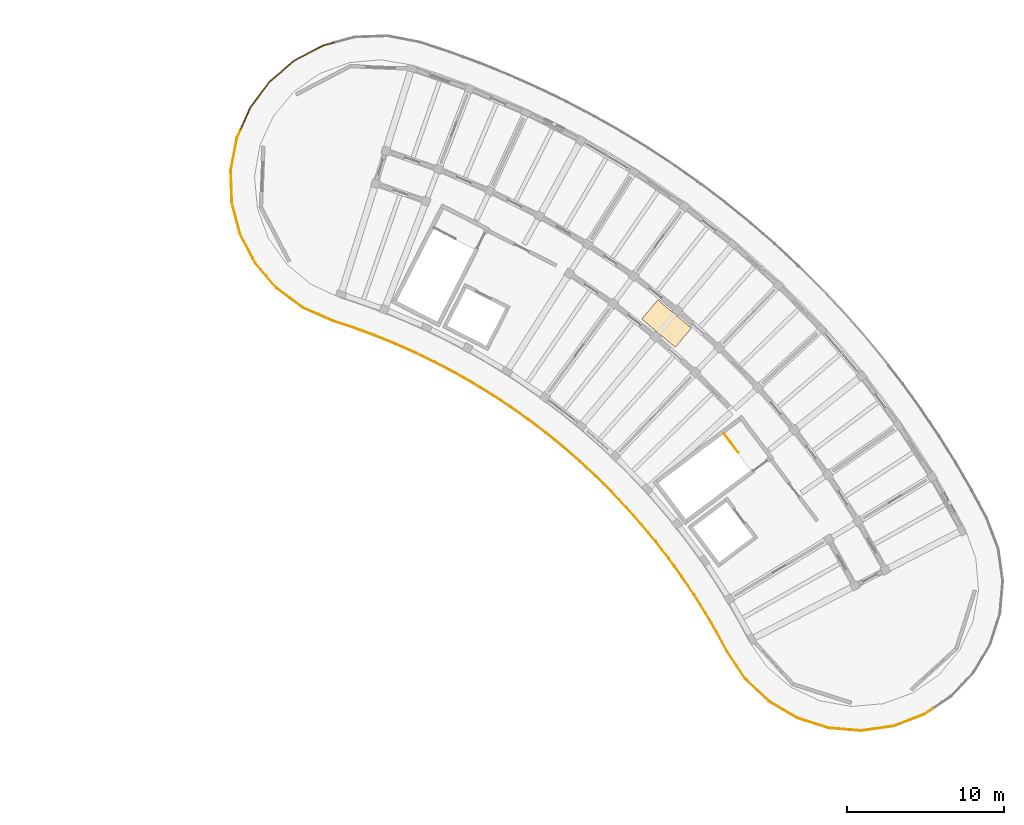
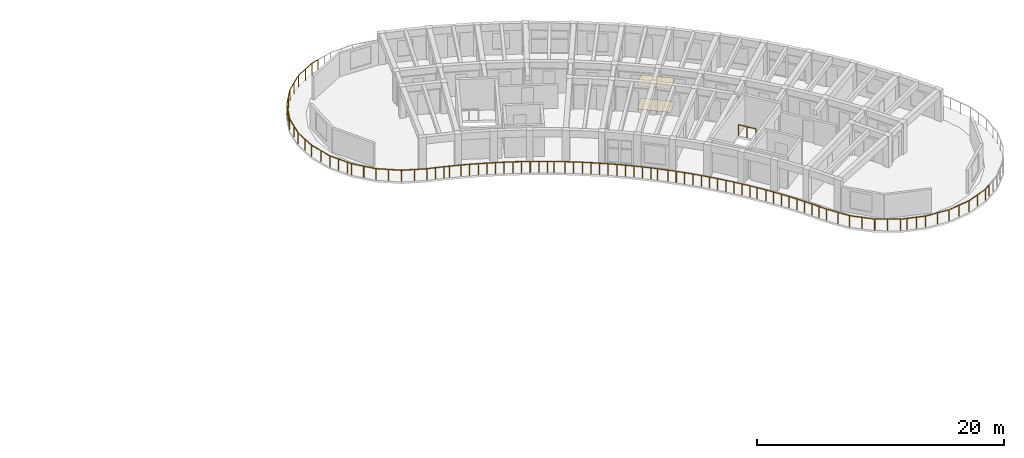
# One storey, part 31 of 32: 10 railings, 2 coverings.
"""IFC4 building model written with IfcOpenShell, lengths in metres."""

import ifcopenshell
import ifcopenshell.guid

model = None  # the IFC model being written
_history = None  # IfcOwnerHistory: only IFC2X3 demands one
_inside = {}  # id of a spatial element -> (the spatial element, [elements in it])
_under = {}  # id of a project, library or spatial element -> (it, [spatial elements below it])
_declared = {}  # id of a project -> (the project, [libraries it declares])
_typed = {}  # id of a type object -> (the type object, [elements of that type])
_made_of = {}  # id of a material, layer set ... -> (it, [elements and type objects made of it])


def new_model(schema):
    """Start an empty IFC model of exactly this schema.

    Asked for "IFC4X3", IfcOpenShell would pick the latest addendum, in which some entities
    have other attributes; the version numbers below select the first issue.
    IFC2X3 requires an IfcOwnerHistory on every rooted entity: one is made here for all.
    """
    global model, _history
    if schema == "IFC4X3":
        model = ifcopenshell.file(schema_version=(4, 3, 0, 0))
    else:
        model = ifcopenshell.file(schema=schema)
    _inside.clear()
    _under.clear()
    _declared.clear()
    _typed.clear()
    _made_of.clear()
    _history = None
    if model.schema == "IFC2X3":
        org = make("IfcOrganization", Name="unknown")
        user = make(
            "IfcPersonAndOrganization",
            ThePerson=make("IfcPerson", FamilyName="unknown"),
            TheOrganization=org,
        )
        app = make(
            "IfcApplication",
            ApplicationDeveloper=org,
            Version="unknown",
            ApplicationFullName="unknown",
            ApplicationIdentifier="unknown",
        )
        _history = make(
            "IfcOwnerHistory",
            OwningUser=user,
            OwningApplication=app,
            ChangeAction="ADDED",
            CreationDate=0,
        )
    return model


def make(cls, **values):
    """One entity of the class cls with the attributes given. An attribute that is None is left unset."""
    return model.create_entity(
        cls, **{name: value for name, value in values.items() if value is not None}
    )


def rooted(cls, **values):
    """An entity with a GlobalId (a new one), such as an element, a storey or a relation."""
    return make(cls, GlobalId=ifcopenshell.guid.new(), OwnerHistory=_history, **values)


def si_unit(unit_type, name, prefix=None):
    """IfcSIUnit, for example si_unit("LENGTHUNIT", "METRE", prefix="MILLI")."""
    return make("IfcSIUnit", UnitType=unit_type, Prefix=prefix, Name=name)


def assignment(units):
    """IfcUnitAssignment: the units of a project."""
    return None if units is None else make("IfcUnitAssignment", Units=units)


def point(xyz):
    """IfcCartesianPoint."""
    return None if xyz is None else make("IfcCartesianPoint", Coordinates=xyz)


def direction(xyz):
    """IfcDirection."""
    return None if xyz is None else make("IfcDirection", DirectionRatios=xyz)


def frame(location, z_axis=None, x_axis=None):
    """IfcAxis2Placement3D, a coordinate frame: its origin and axes. An axis left out is left unset."""
    return make(
        "IfcAxis2Placement3D",
        Location=point(location),
        Axis=direction(z_axis),
        RefDirection=direction(x_axis),
    )


def frame_2d(location, x_axis=None):
    """IfcAxis2Placement2D, a coordinate frame in the plane: its origin and x axis."""
    return make(
        "IfcAxis2Placement2D", Location=point(location), RefDirection=direction(x_axis)
    )


def origin():
    """The frame at (0, 0, 0) with its axes left unset."""
    return frame((0.0, 0.0, 0.0))


def origin_2d():
    """The frame at (0, 0) in the plane with its x axis left unset."""
    return frame_2d((0.0, 0.0))


def place(relative_to, where):
    """IfcLocalPlacement: puts the frame where relative to a parent placement (None: the world)."""
    return make(
        "IfcLocalPlacement", PlacementRelTo=relative_to, RelativePlacement=where
    )


def context(
    kind, dimensions, precision=None, world=None, true_north=None, identifier=None
):
    """IfcGeometricRepresentationContext, for example the 3D "Model" context."""
    return make(
        "IfcGeometricRepresentationContext",
        ContextIdentifier=identifier,
        ContextType=kind,
        CoordinateSpaceDimension=dimensions,
        Precision=precision,
        WorldCoordinateSystem=world,
        TrueNorth=true_north,
    )


def subcontext(parent, identifier, kind, view, scale=None):
    """IfcGeometricRepresentationSubContext, for example "Body" below "Model"."""
    return make(
        "IfcGeometricRepresentationSubContext",
        ContextIdentifier=identifier,
        ContextType=kind,
        ParentContext=parent,
        TargetScale=scale,
        TargetView=view,
    )


def project(units=None, contexts=None):
    """IfcProject with its units and contexts."""
    return rooted(
        "IfcProject",
        Name="project",
        RepresentationContexts=contexts,
        UnitsInContext=assignment(units),
    )


def spatial(cls, under=None, at=None, **own):
    """A site, building, storey or space (cls), placed at a placement, below another one or the project."""
    s = rooted(cls, ObjectPlacement=at, **own)
    if under is not None:
        _under.setdefault(under.id(), (under, []))[1].append(s)
    return s


def profile(cls, at=None, kind="AREA", **sizes):
    """A parametric profile (cls). Its sizes go by their IFC names, for example OverallWidth=200.0."""
    return make(cls, ProfileType=kind, Position=at, **sizes)


def rectangle(**sizes):
    """IfcRectangleProfileDef."""
    return profile("IfcRectangleProfileDef", **sizes)


def circle(**sizes):
    """IfcCircleProfileDef."""
    return profile("IfcCircleProfileDef", **sizes)


def extrude(swept, where, along, depth):
    """IfcExtrudedAreaSolid: the profile swept, set in the frame where, extruded along a direction by depth."""
    return make(
        "IfcExtrudedAreaSolid",
        SweptArea=swept,
        Position=where,
        ExtrudedDirection=direction(along),
        Depth=depth,
    )


def shape(context_of_items, identifier, shape_type, items):
    """IfcShapeRepresentation: the items that make up one representation, for example the "Body"."""
    return make(
        "IfcShapeRepresentation",
        ContextOfItems=context_of_items,
        RepresentationIdentifier=identifier,
        RepresentationType=shape_type,
        Items=items,
    )


def material(Name=None, Category=None):
    """IfcMaterial."""
    return make("IfcMaterial", Name=Name, Category=Category)


def layer(
    of_material, thickness, ventilated=None, Name=None, Category=None, Priority=None
):
    """IfcMaterialLayer: one layer of a wall or slab, of a material (None: an air gap)."""
    return make(
        "IfcMaterialLayer",
        Material=of_material,
        LayerThickness=thickness,
        IsVentilated=ventilated,
        Name=Name,
        Category=Category,
        Priority=Priority,
    )


def layer_set(layers, Name=None):
    """IfcMaterialLayerSet."""
    return make("IfcMaterialLayerSet", MaterialLayers=layers, LayerSetName=Name)


def made_of(thing, what):
    """Note that an element or type object is made of a material, layer set ...; save() writes the relation."""
    if what is not None:
        _made_of.setdefault(what.id(), (what, []))[1].append(thing)
    return thing


def type_object(cls, material=None, **own):
    """A type object (cls), such as IfcWallType, which elements share."""
    return made_of(rooted(cls, **own), material)


def element(
    cls,
    number,
    at=None,
    inside=None,
    cuts=None,
    type_object=None,
    material=None,
    context=None,
    identifier="Body",
    shape_type=None,
    held_by="IfcProductDefinitionShape",
    body=None,
    shapes=None,
    **own,
):
    """One element of the class cls, such as IfcWall. Its Tag is "e" and its number.

    at: its placement. inside: the storey or other place that contains it. cuts: it is an
    opening in that element (IfcRelVoidsElement). A single representation is given by context,
    identifier, shape_type and body (its items); several are given by shapes. held_by: the class
    of the entity that holds the representations. save() writes the other relations.
    """
    e = rooted(cls, Tag="e%d" % number, ObjectPlacement=at, **own)
    if body is not None:
        shapes = [shape(context, identifier, shape_type, body)]
    if shapes is not None:
        e.Representation = make(held_by, Representations=shapes)
    if inside is not None:
        _inside.setdefault(inside.id(), (inside, []))[1].append(e)
    if cuts is not None:
        rooted(
            "IfcRelVoidsElement", RelatingBuildingElement=cuts, RelatedOpeningElement=e
        )
    if type_object is not None:
        _typed.setdefault(type_object.id(), (type_object, []))[1].append(e)
    return made_of(e, material)


def aggregate(whole, parts):
    """IfcRelAggregates: a whole, such as a stair, and the parts it consists of."""
    return rooted("IfcRelAggregates", RelatingObject=whole, RelatedObjects=parts)


def save(model, path):
    """Write the relations noted so far, then the file.

    IfcRelAggregates (storeys below a building ...), IfcRelContainedInSpatialStructure (elements
    in a storey), IfcRelDefinesByType, IfcRelAssociatesMaterial and IfcRelDeclares: one each for
    every whole, place, type object, material and project.
    """
    for whole, parts in _under.values():
        aggregate(whole, parts)
    for where, things in _inside.values():
        rooted(
            "IfcRelContainedInSpatialStructure",
            RelatedElements=things,
            RelatingStructure=where,
        )
    for kind, things in _typed.values():
        rooted("IfcRelDefinesByType", RelatedObjects=things, RelatingType=kind)
    for what, things in _made_of.values():
        rooted("IfcRelAssociatesMaterial", RelatedObjects=things, RelatingMaterial=what)
    for by, libraries in _declared.values():
        rooted("IfcRelDeclares", RelatingContext=by, RelatedDefinitions=libraries)
    model.write(path)


model = new_model("IFC4")

# Units and contexts
model_context = context("Model", 3, precision=1e-05, world=origin(), true_north=direction((0.0, 1.0)))
body_context = subcontext(model_context, "Body", "Model", "MODEL_VIEW")
ifc_project = project(units=[si_unit("LENGTHUNIT", "METRE"), si_unit("AREAUNIT", "SQUARE_METRE"), si_unit("VOLUMEUNIT", "CUBIC_METRE"), si_unit("PLANEANGLEUNIT", "RADIAN"), si_unit("MASSUNIT", "GRAM", prefix="KILO")], contexts=[model_context])

# Site, building, storey
site_placement = place(None, origin())
site = spatial("IfcSite", under=ifc_project, at=site_placement, CompositionType="ELEMENT")
building_placement = place(site_placement, origin())
building = spatial("IfcBuilding", under=site, at=building_placement, Name="Tanwirah Colonnade Gardens", CompositionType="ELEMENT")
storey_placement = place(building_placement, frame((0.0, 0.0, 42.43994140625)))
storey = spatial("IfcBuildingStorey", under=building, at=storey_placement, Name="L12", CompositionType="ELEMENT", Elevation=42.43994140625)

# Railings
ifc_material_1 = material(Name="Precast concrete C40/50", Category="concrete")
railing_type_1 = type_object("IfcRailingType", Name="BAL-EXT112", PredefinedType="BALUSTRADE", material=ifc_material_1)
railing_1_placement = place(storey_placement, frame((160.074951171875, 78.0625, 0.0)))
element("IfcRailing", 1, at=railing_1_placement, inside=storey, type_object=railing_type_1, Name="Block B L12 Balcony Ribbon Balustrade 1", PredefinedType="BALUSTRADE", context=body_context, shape_type="SweptSolid", body=[
    extrude(circle(Radius=0.02392578125, at=origin_2d()), frame((-0.017333984375, 0.02587890625, 1.09619140625), z_axis=(-0.555723141741, 0.831367421622, 0.0), x_axis=(-0.831367421622, -0.555723141741, 0.0)), (0.0, 0.0, 1.0), 2.029541015625),
    extrude(circle(Radius=0.02392578125, at=origin_2d()), frame((-1.177490234375, 1.766845703125, 1.09619140625), z_axis=(-0.47378794551, 0.880638962736, 0.0), x_axis=(-0.880638962736, -0.47378794551, 0.0)), (0.0, 0.0, 1.0), 1.338134765625),
    extrude(circle(Radius=0.02392578125, at=origin_2d()), frame((-1.843017578125, 3.001953125, 1.09619140625), z_axis=(-0.502378729104, 0.864647681165, 0.0), x_axis=(-0.864647681165, -0.502378729104, 0.0)), (0.0, 0.0, 1.0), 1.342041015625),
    extrude(circle(Radius=0.02392578125, at=origin_2d()), frame((-2.551025390625, 4.218017578125, 1.09619140625), z_axis=(-0.530764445851, 0.847519382091, 0.0), x_axis=(-0.847519382091, -0.530764445851, 0.0)), (0.0, 0.0, 1.0), 1.341796875),
    extrude(circle(Radius=0.02392578125, at=origin_2d()), frame((-3.298828125, 5.40966796875, 1.09619140625), z_axis=(-0.558385571779, 0.829581553091, 0.0), x_axis=(-0.829581553091, -0.558385571779, 0.0)), (0.0, 0.0, 1.0), 1.341796875),
    extrude(circle(Radius=0.02392578125, at=origin_2d()), frame((-4.085205078125, 6.576416015625, 1.09619140625), z_axis=(-0.585501924719, 0.81067101598, 0.0), x_axis=(-0.81067101598, -0.585501924719, 0.0)), (0.0, 0.0, 1.0), 0.721435546875),
    extrude(circle(Radius=0.02099609375, at=origin_2d()), origin(), (0.0, 0.0, 1.0), 1.069091796875),
    extrude(circle(Radius=0.02099609375, at=origin_2d()), frame((-0.581298828125, 0.86962890625, 0.0)), (0.0, 0.0, 1.0), 1.069091796875),
    extrude(circle(Radius=0.02099609375, at=origin_2d()), frame((-1.16259765625, 1.7392578125, 0.0)), (0.0, 0.0, 1.0), 1.069091796875),
    extrude(circle(Radius=0.02099609375, at=origin_2d()), frame((-1.494384765625, 2.35595703125, 0.0)), (0.0, 0.0, 1.0), 1.069091796875),
    extrude(circle(Radius=0.02099609375, at=origin_2d()), frame((-1.826171875, 2.97265625, 0.0)), (0.0, 0.0, 1.0), 1.069091796875),
    extrude(circle(Radius=0.02099609375, at=origin_2d()), frame((-2.18017578125, 3.58203125, 0.0)), (0.0, 0.0, 1.0), 1.069091796875),
    extrude(circle(Radius=0.02099609375, at=origin_2d()), frame((-2.532958984375, 4.189208984375, 0.0)), (0.0, 0.0, 1.0), 1.069091796875),
    extrude(circle(Radius=0.02099609375, at=origin_2d()), frame((-2.9072265625, 4.78662109375, 0.0)), (0.0, 0.0, 1.0), 1.069091796875),
    extrude(circle(Radius=0.02099609375, at=origin_2d()), frame((-3.27978515625, 5.381591796875, 0.0)), (0.0, 0.0, 1.0), 1.069091796875),
    extrude(circle(Radius=0.02099609375, at=origin_2d()), frame((-3.67333984375, 5.96630859375, 0.0)), (0.0, 0.0, 1.0), 1.069091796875),
    extrude(circle(Radius=0.02099609375, at=origin_2d()), frame((-4.0654296875, 6.548828125, 0.0)), (0.0, 0.0, 1.0), 1.069091796875),
    extrude(circle(Radius=0.02099609375, at=origin_2d()), frame((-4.52587890625, 7.1865234375, 0.0)), (0.0, 0.0, 1.0), 1.069091796875),
])
railing_2_placement = place(storey_placement, frame((155.549072265625, 85.2490234375, 0.0)))
element("IfcRailing", 2, at=railing_2_placement, inside=storey, type_object=railing_type_1, Name="Block B L12 Balcony Ribbon Balustrade 2", PredefinedType="BALUSTRADE", context=body_context, shape_type="SweptSolid", body=[
    extrude(circle(Radius=0.02392578125, at=origin_2d()), frame((-0.018310546875, 0.025390625, 1.09619140625), z_axis=(-0.585548022898, 0.810637719872, 0.0), x_axis=(-0.810637719872, -0.585548022898, 0.0)), (0.0, 0.0, 1.0), 0.557861328125),
    extrude(circle(Radius=0.02392578125, at=origin_2d()), frame((-0.3837890625, 0.52978515625, 1.09619140625), z_axis=(-0.611783903817, 0.791024939576, 0.0), x_axis=(-0.791024939576, -0.611783903817, 0.0)), (0.0, 0.0, 1.0), 1.341796875),
    extrude(circle(Radius=0.02392578125, at=origin_2d()), frame((-1.24560546875, 1.64208984375, 1.09619140625), z_axis=(-0.637581943595, 0.770382544715, 0.0), x_axis=(-0.770382544715, -0.637581943595, 0.0)), (0.0, 0.0, 1.0), 1.342041015625),
    extrude(circle(Radius=0.02392578125, at=origin_2d()), frame((-2.1435546875, 2.725341796875, 1.09619140625), z_axis=(-0.662581384852, 0.748989925464, 0.0), x_axis=(-0.748989925464, -0.662581384852, 0.0)), (0.0, 0.0, 1.0), 1.341796875),
    extrude(circle(Radius=0.02392578125, at=origin_2d()), frame((-3.076416015625, 3.7783203125, 1.09619140625), z_axis=(-0.687011382404, 0.726646654466, 0.0), x_axis=(-0.726646654466, -0.687011382404, 0.0)), (0.0, 0.0, 1.0), 1.341796875),
    extrude(circle(Radius=0.02392578125, at=origin_2d()), frame((-4.043701171875, 4.800048828125, 1.09619140625), z_axis=(-0.710488556831, 0.703708754111, 0.0), x_axis=(-0.703708754111, -0.710488556831, 0.0)), (0.0, 0.0, 1.0), 1.341796875),
    extrude(circle(Radius=0.02392578125, at=origin_2d()), frame((-5.044189453125, 5.789306640625, 1.09619140625), z_axis=(-0.733278670332, 0.679928225357, 0.0), x_axis=(-0.679928225357, -0.733278670332, 0.0)), (0.0, 0.0, 1.0), 0.779541015625),
    extrude(circle(Radius=0.02099609375, at=origin_2d()), origin(), (0.0, 0.0, 1.0), 1.069091796875),
    extrude(circle(Radius=0.02099609375, at=origin_2d()), frame((-0.36328125, 0.5029296875, 0.0)), (0.0, 0.0, 1.0), 1.069091796875),
    extrude(circle(Radius=0.02099609375, at=origin_2d()), frame((-0.79443359375, 1.060546875, 0.0)), (0.0, 0.0, 1.0), 1.069091796875),
    extrude(circle(Radius=0.02099609375, at=origin_2d()), frame((-1.223876953125, 1.615966796875, 0.0)), (0.0, 0.0, 1.0), 1.069091796875),
    extrude(circle(Radius=0.02099609375, at=origin_2d()), frame((-1.67333984375, 2.158935546875, 0.0)), (0.0, 0.0, 1.0), 1.069091796875),
    extrude(circle(Radius=0.02099609375, at=origin_2d()), frame((-2.12109375, 2.699951171875, 0.0)), (0.0, 0.0, 1.0), 1.069091796875),
    extrude(circle(Radius=0.02099609375, at=origin_2d()), frame((-2.587890625, 3.227783203125, 0.0)), (0.0, 0.0, 1.0), 1.069091796875),
    extrude(circle(Radius=0.02099609375, at=origin_2d()), frame((-3.05322265625, 3.753662109375, 0.0)), (0.0, 0.0, 1.0), 1.069091796875),
    extrude(circle(Radius=0.02099609375, at=origin_2d()), frame((-3.537353515625, 4.265869140625, 0.0)), (0.0, 0.0, 1.0), 1.069091796875),
    extrude(circle(Radius=0.02099609375, at=origin_2d()), frame((-4.019775390625, 4.776123046875, 0.0)), (0.0, 0.0, 1.0), 1.069091796875),
    extrude(circle(Radius=0.02099609375, at=origin_2d()), frame((-4.5205078125, 5.272216796875, 0.0)), (0.0, 0.0, 1.0), 1.069091796875),
    extrude(circle(Radius=0.02099609375, at=origin_2d()), frame((-5.019287109375, 5.766357421875, 0.0)), (0.0, 0.0, 1.0), 1.069091796875),
    extrude(circle(Radius=0.02099609375, at=origin_2d()), frame((-5.638671875, 6.340576171875, 0.0)), (0.0, 0.0, 1.0), 1.069091796875),
])
railing_3_placement = place(storey_placement, frame((149.910400390625, 91.589599609375, 0.0)))
element("IfcRailing", 3, at=railing_3_placement, inside=storey, type_object=railing_type_1, Name="Block B L12 Balcony Ribbon Balustrade 3", PredefinedType="BALUSTRADE", context=body_context, shape_type="SweptSolid", body=[
    extrude(circle(Radius=0.02392578125, at=origin_2d()), frame((-0.02294921875, 0.021240234375, 1.09619140625), z_axis=(-0.733504180898, 0.679684939222, 0.0), x_axis=(-0.679684939222, -0.733504180898, 0.0)), (0.0, 0.0, 1.0), 0.5),
    extrude(circle(Radius=0.02392578125, at=origin_2d()), frame((-0.438232421875, 0.404541015625, 1.09619140625), z_axis=(-0.755402192857, 0.655261418845, 0.0), x_axis=(-0.655261418845, -0.755402192857, 0.0)), (0.0, 0.0, 1.0), 1.341796875),
    extrude(circle(Radius=0.02392578125, at=origin_2d()), frame((-1.50146484375, 1.32568359375, 1.09619140625), z_axis=(-0.776491375378, 0.630127879056, 0.0), x_axis=(-0.630127879056, -0.776491375378, 0.0)), (0.0, 0.0, 1.0), 1.342041015625),
    extrude(circle(Radius=0.02392578125, at=origin_2d()), frame((-2.5947265625, 2.211181640625, 1.09619140625), z_axis=(-0.796818244666, 0.604219070344, 0.0), x_axis=(-0.604219070344, -0.796818244666, 0.0)), (0.0, 0.0, 1.0), 1.342041015625),
    extrude(circle(Radius=0.02392578125, at=origin_2d()), frame((-3.716796875, 3.060546875, 1.09619140625), z_axis=(-0.816321661452, 0.577597563226, 0.0), x_axis=(-0.577597563226, -0.816321661452, 0.0)), (0.0, 0.0, 1.0), 1.341552734375),
    extrude(circle(Radius=0.02392578125, at=origin_2d()), frame((-4.86572265625, 3.8720703125, 1.09619140625), z_axis=(-0.834927342507, 0.550360184547, 0.0), x_axis=(-0.550360184547, -0.834927342507, 0.0)), (0.0, 0.0, 1.0), 1.341796875),
    extrude(circle(Radius=0.02392578125, at=origin_2d()), frame((-6.041015625, 4.6455078125, 1.09619140625), z_axis=(-0.85259735491, 0.522568416957, 0.0), x_axis=(-0.522568416957, -0.85259735491, 0.0)), (0.0, 0.0, 1.0), 0.837646484375),
    extrude(circle(Radius=0.02099609375, at=origin_2d()), origin(), (0.0, 0.0, 1.0), 1.069091796875),
    extrude(circle(Radius=0.02099609375, at=origin_2d()), frame((-0.41259765625, 0.38232421875, 0.0)), (0.0, 0.0, 1.0), 1.069091796875),
    extrude(circle(Radius=0.02099609375, at=origin_2d()), frame((-0.94482421875, 0.84423828125, 0.0)), (0.0, 0.0, 1.0), 1.069091796875),
    extrude(circle(Radius=0.02099609375, at=origin_2d()), frame((-1.475341796875, 1.30419921875, 0.0)), (0.0, 0.0, 1.0), 1.069091796875),
    extrude(circle(Radius=0.02099609375, at=origin_2d()), frame((-2.0224609375, 1.74853515625, 0.0)), (0.0, 0.0, 1.0), 1.069091796875),
    extrude(circle(Radius=0.02099609375, at=origin_2d()), frame((-2.56787109375, 2.19091796875, 0.0)), (0.0, 0.0, 1.0), 1.069091796875),
    extrude(circle(Radius=0.02099609375, at=origin_2d()), frame((-3.12939453125, 2.61669921875, 0.0)), (0.0, 0.0, 1.0), 1.069091796875),
    extrude(circle(Radius=0.02099609375, at=origin_2d()), frame((-3.68896484375, 3.041015625, 0.0)), (0.0, 0.0, 1.0), 1.069091796875),
    extrude(circle(Radius=0.02099609375, at=origin_2d()), frame((-4.26416015625, 3.447998046875, 0.0)), (0.0, 0.0, 1.0), 1.069091796875),
    extrude(circle(Radius=0.02099609375, at=origin_2d()), frame((-4.83740234375, 3.853515625, 0.0)), (0.0, 0.0, 1.0), 1.069091796875),
    extrude(circle(Radius=0.02099609375, at=origin_2d()), frame((-5.42578125, 4.241455078125, 0.0)), (0.0, 0.0, 1.0), 1.069091796875),
    extrude(circle(Radius=0.02099609375, at=origin_2d()), frame((-6.01220703125, 4.6279296875, 0.0)), (0.0, 0.0, 1.0), 1.069091796875),
    extrude(circle(Radius=0.02099609375, at=origin_2d()), frame((-6.781982421875, 5.099609375, 0.0)), (0.0, 0.0, 1.0), 1.069091796875),
])
railing_4_placement = place(storey_placement, frame((143.12841796875, 96.689208984375, 0.0)))
element("IfcRailing", 4, at=railing_4_placement, inside=storey, type_object=railing_type_1, Name="Block B L12 Balcony Ribbon Balustrade 4", PredefinedType="BALUSTRADE", context=body_context, shape_type="SweptSolid", body=[
    extrude(circle(Radius=0.02392578125, at=origin_2d()), frame((-0.026611328125, 0.016357421875, 1.09619140625), z_axis=(-0.852670834428, 0.522448512407, 0.0), x_axis=(-0.522448512407, -0.852670834428, 0.0)), (0.0, 0.0, 1.0), 0.441650390625),
    extrude(circle(Radius=0.02392578125, at=origin_2d()), frame((-0.459228515625, 0.280029296875, 1.09619140625), z_axis=(-0.869342839865, 0.494209496848, 0.0), x_axis=(-0.494209496848, -0.869342839865, 0.0)), (0.0, 0.0, 1.0), 1.342041015625),
    extrude(circle(Radius=0.02392578125, at=origin_2d()), frame((-1.68310546875, 0.974609375, 1.09619140625), z_axis=(-0.885204649416, 0.465201814972, 0.0), x_axis=(-0.465201814972, -0.885204649416, 0.0)), (0.0, 0.0, 1.0), 1.341796875),
    extrude(circle(Radius=0.02392578125, at=origin_2d()), frame((-2.928955078125, 1.628173828125, 1.09619140625), z_axis=(-0.900124070825, 0.43563362717, 0.0), x_axis=(-0.43563362717, -0.900124070825, 0.0)), (0.0, 0.0, 1.0), 1.341796875),
    extrude(circle(Radius=0.02392578125, at=origin_2d()), frame((-4.19580078125, 2.240234375, 1.09619140625), z_axis=(-0.913997826773, 0.40571908096, 0.0), x_axis=(-0.40571908096, -0.913997826773, 0.0)), (0.0, 0.0, 1.0), 1.342041015625),
    extrude(circle(Radius=0.02392578125, at=origin_2d()), frame((-5.482177734375, 2.81005859375, 1.09619140625), z_axis=(-0.92683738147, 0.375463005247, 0.0), x_axis=(-0.375463005247, -0.92683738147, 0.0)), (0.0, 0.0, 1.0), 1.342041015625),
    extrude(circle(Radius=0.02392578125, at=origin_2d()), frame((-6.78662109375, 3.33740234375, 1.09619140625), z_axis=(-0.938695003557, 0.34474873502, 0.0), x_axis=(-0.34474873502, -0.938695003557, 0.0)), (0.0, 0.0, 1.0), 0.8955078125),
    extrude(circle(Radius=0.02099609375, at=origin_2d()), origin(), (0.0, 0.0, 1.0), 1.069091796875),
    extrude(circle(Radius=0.02099609375, at=origin_2d()), frame((-0.429931640625, 0.263427734375, 0.0)), (0.0, 0.0, 1.0), 1.069091796875),
    extrude(circle(Radius=0.02099609375, at=origin_2d()), frame((-1.04248046875, 0.61181640625, 0.0)), (0.0, 0.0, 1.0), 1.069091796875),
    extrude(circle(Radius=0.02099609375, at=origin_2d()), frame((-1.653076171875, 0.958740234375, 0.0)), (0.0, 0.0, 1.0), 1.069091796875),
    extrude(circle(Radius=0.02099609375, at=origin_2d()), frame((-2.277099609375, 1.28662109375, 0.0)), (0.0, 0.0, 1.0), 1.069091796875),
    extrude(circle(Radius=0.02099609375, at=origin_2d()), frame((-2.898681640625, 1.61328125, 0.0)), (0.0, 0.0, 1.0), 1.069091796875),
    extrude(circle(Radius=0.02099609375, at=origin_2d()), frame((-3.532958984375, 1.92041015625, 0.0)), (0.0, 0.0, 1.0), 1.069091796875),
    extrude(circle(Radius=0.02099609375, at=origin_2d()), frame((-4.1650390625, 2.226318359375, 0.0)), (0.0, 0.0, 1.0), 1.069091796875),
    extrude(circle(Radius=0.02099609375, at=origin_2d()), frame((-4.80908203125, 2.512451171875, 0.0)), (0.0, 0.0, 1.0), 1.069091796875),
    extrude(circle(Radius=0.02099609375, at=origin_2d()), frame((-5.450927734375, 2.79736328125, 0.0)), (0.0, 0.0, 1.0), 1.069091796875),
    extrude(circle(Radius=0.02099609375, at=origin_2d()), frame((-6.10400390625, 3.06201171875, 0.0)), (0.0, 0.0, 1.0), 1.069091796875),
    extrude(circle(Radius=0.02099609375, at=origin_2d()), frame((-6.7548828125, 3.32568359375, 0.0)), (0.0, 0.0, 1.0), 1.069091796875),
    extrude(circle(Radius=0.02099609375, at=origin_2d()), frame((-7.65673828125, 3.656982421875, 0.0)), (0.0, 0.0, 1.0), 1.069091796875),
])
railing_5_placement = place(storey_placement, frame((135.4716796875, 100.34619140625, 0.0)))
element("IfcRailing", 5, at=railing_5_placement, inside=storey, type_object=railing_type_1, Name="Block B L12 Balcony Ribbon Balustrade 5", PredefinedType="BALUSTRADE", context=body_context, shape_type="SweptSolid", body=[
    extrude(circle(Radius=0.02392578125, at=origin_2d()), frame((-0.029296875, 0.0107421875, 1.09619140625), z_axis=(-0.938669759517, 0.34481746268, 0.0), x_axis=(-0.34481746268, -0.938669759517, 0.0)), (0.0, 0.0, 1.0), 0.383544921875),
    extrude(circle(Radius=0.02392578125, at=origin_2d()), frame((-0.451171875, 0.16455078125, 1.09619140625), z_axis=(-0.949551322101, 0.313611681377, 0.0), x_axis=(-0.313611681377, -0.949551322101, 0.0)), (0.0, 0.0, 1.0), 1.337890625),
    extrude(circle(Radius=0.02392578125, at=origin_2d()), frame((-1.77978515625, 0.606689453125, 1.09619140625), z_axis=(-0.915206584925, 0.402984995887, 0.0), x_axis=(-0.402984995887, -0.915206584925, 0.0)), (0.0, 0.0, 1.0), 2.029296875),
    extrude(circle(Radius=0.02392578125, at=origin_2d()), frame((-3.69091796875, 1.45556640625, 1.09619140625), z_axis=(-0.802617432129, 0.596494138817, 0.0), x_axis=(-0.596494138817, -0.802617432129, 0.0)), (0.0, 0.0, 1.0), 2.0244140625),
    extrude(circle(Radius=0.02392578125, at=origin_2d()), frame((-5.361083984375, 2.70556640625, 1.09619140625), z_axis=(-0.649788781174, 0.760114820182, 0.0), x_axis=(-0.760114820182, -0.649788781174, 0.0)), (0.0, 0.0, 1.0), 2.024169921875),
    extrude(circle(Radius=0.02392578125, at=origin_2d()), frame((-6.711181640625, 4.295654296875, 1.09619140625), z_axis=(-0.464386241991, 0.885632778441, 0.0), x_axis=(-0.885632778441, -0.464386241991, 0.0)), (0.0, 0.0, 1.0), 0.322265625),
    extrude(circle(Radius=0.02099609375, at=origin_2d()), origin(), (0.0, 0.0, 1.0), 1.069091796875),
    extrude(circle(Radius=0.02099609375, at=origin_2d()), frame((-0.418701171875, 0.15380859375, 0.0)), (0.0, 0.0, 1.0), 1.069091796875),
    extrude(circle(Radius=0.02099609375, at=origin_2d()), frame((-1.08642578125, 0.37451171875, 0.0)), (0.0, 0.0, 1.0), 1.069091796875),
    extrude(circle(Radius=0.02099609375, at=origin_2d()), frame((-1.751220703125, 0.593994140625, 0.0)), (0.0, 0.0, 1.0), 1.069091796875),
    extrude(circle(Radius=0.02099609375, at=origin_2d()), frame((-2.70849609375, 1.015625, 0.0)), (0.0, 0.0, 1.0), 1.069091796875),
    extrude(circle(Radius=0.02099609375, at=origin_2d()), frame((-3.665771484375, 1.43701171875, 0.0)), (0.0, 0.0, 1.0), 1.069091796875),
    extrude(circle(Radius=0.02099609375, at=origin_2d()), frame((-4.50341796875, 2.0595703125, 0.0)), (0.0, 0.0, 1.0), 1.069091796875),
    extrude(circle(Radius=0.02099609375, at=origin_2d()), frame((-5.3408203125, 2.681884765625, 0.0)), (0.0, 0.0, 1.0), 1.069091796875),
    extrude(circle(Radius=0.02099609375, at=origin_2d()), frame((-6.018798828125, 3.47509765625, 0.0)), (0.0, 0.0, 1.0), 1.069091796875),
    extrude(circle(Radius=0.02099609375, at=origin_2d()), frame((-6.69677734375, 4.26806640625, 0.0)), (0.0, 0.0, 1.0), 1.069091796875),
    extrude(circle(Radius=0.02099609375, at=origin_2d()), frame((-6.87548828125, 4.60888671875, 0.0)), (0.0, 0.0, 1.0), 1.069091796875),
])
railing_6_placement = place(storey_placement, frame((128.59619140625, 104.955078125, 0.0)))
element("IfcRailing", 6, at=railing_6_placement, inside=storey, type_object=railing_type_1, Name="Block B L12 Balcony Ribbon Balustrade 6", PredefinedType="BALUSTRADE", context=body_context, shape_type="SweptSolid", body=[
    extrude(circle(Radius=0.02392578125, at=origin_2d()), frame((-0.014404296875, 0.027587890625, 1.09619140625), z_axis=(-0.464285666528, 0.885685508438, 0.0), x_axis=(-0.885685508438, -0.464285666528, 0.0)), (0.0, 0.0, 1.0), 1.6396484375),
    extrude(circle(Radius=0.02392578125, at=origin_2d()), frame((-0.79833984375, 1.537841796875, 1.09619140625), z_axis=(-0.255616018548, 0.966778387771, 0.0), x_axis=(-0.966778387771, -0.255616018548, 0.0)), (0.0, 0.0, 1.0), 2.0244140625),
    extrude(circle(Radius=0.02392578125, at=origin_2d()), frame((-1.32470703125, 3.556396484375, 1.09619140625), z_axis=(-0.034043231314, 0.99942036121, 0.0), x_axis=(-0.99942036121, -0.034043231314, 0.0)), (0.0, 0.0, 1.0), 2.0244140625),
    extrude(circle(Radius=0.02392578125, at=origin_2d()), frame((-1.388916015625, 5.6416015625, 1.09619140625), z_axis=(0.189159780918, 0.981946320978, 0.0), x_axis=(-0.981946320978, 0.189159780918, 0.0)), (0.0, 0.0, 1.0), 2.0244140625),
    extrude(circle(Radius=0.02392578125, at=origin_2d()), frame((-0.9873046875, 7.688720703125, 1.09619140625), z_axis=(0.40284527207, 0.915268095571, 0.0), x_axis=(-0.915268095571, 0.40284527207, 0.0)), (0.0, 0.0, 1.0), 0.474365234375),
    extrude(circle(Radius=0.02099609375, at=origin_2d()), origin(), (0.0, 0.0, 1.0), 1.069091796875),
    extrude(circle(Radius=0.02099609375, at=origin_2d()), frame((-0.39501953125, 0.75390625, 0.0)), (0.0, 0.0, 1.0), 1.069091796875),
    extrude(circle(Radius=0.02099609375, at=origin_2d()), frame((-0.790283203125, 1.507568359375, 0.0)), (0.0, 0.0, 1.0), 1.069091796875),
    extrude(circle(Radius=0.02099609375, at=origin_2d()), frame((-1.05712890625, 2.516357421875, 0.0)), (0.0, 0.0, 1.0), 1.069091796875),
    extrude(circle(Radius=0.02099609375, at=origin_2d()), frame((-1.32373046875, 3.525146484375, 0.0)), (0.0, 0.0, 1.0), 1.069091796875),
    extrude(circle(Radius=0.02099609375, at=origin_2d()), frame((-1.359375, 4.56787109375, 0.0)), (0.0, 0.0, 1.0), 1.069091796875),
    extrude(circle(Radius=0.02099609375, at=origin_2d()), frame((-1.394775390625, 5.61083984375, 0.0)), (0.0, 0.0, 1.0), 1.069091796875),
    extrude(circle(Radius=0.02099609375, at=origin_2d()), frame((-1.197265625, 6.635498046875, 0.0)), (0.0, 0.0, 1.0), 1.069091796875),
    extrude(circle(Radius=0.02099609375, at=origin_2d()), frame((-1.0, 7.66015625, 0.0)), (0.0, 0.0, 1.0), 1.069091796875),
    extrude(circle(Radius=0.02099609375, at=origin_2d()), frame((-0.78369140625, 8.151611328125, 0.0)), (0.0, 0.0, 1.0), 1.069091796875),
])
railing_7_placement = place(storey_placement, frame((127.8125, 113.106689453125, 0.0)))
element("IfcRailing", 7, at=railing_7_placement, inside=storey, type_object=railing_type_1, Name="Block B L12 Balcony Ribbon Balustrade 7", PredefinedType="BALUSTRADE", context=body_context, shape_type="SweptSolid", body=[
    extrude(circle(Radius=0.02392578125, at=origin_2d()), frame((0.0126953125, 0.028564453125, 1.09619140625), z_axis=(0.402949763493, 0.915222097691, 0.0), x_axis=(-0.915222097691, 0.402949763493, 0.0)), (0.0, 0.0, 1.0), 1.4873046875),
    extrude(circle(Radius=0.02392578125, at=origin_2d()), frame((0.64306640625, 1.443603515625, 1.09619140625), z_axis=(0.596494138817, 0.802617432129, 0.0), x_axis=(-0.802617432129, 0.596494138817, 0.0)), (0.0, 0.0, 1.0), 2.0244140625),
    extrude(circle(Radius=0.02392578125, at=origin_2d()), frame((1.89306640625, 3.11376953125, 1.09619140625), z_axis=(0.760114820182, 0.649788781174, 0.0), x_axis=(-0.649788781174, 0.760114820182, 0.0)), (0.0, 0.0, 1.0), 2.024169921875),
    extrude(circle(Radius=0.02392578125, at=origin_2d()), frame((3.483154296875, 4.4638671875, 1.09619140625), z_axis=(0.885675786057, 0.464304212767, 0.0), x_axis=(-0.464304212767, 0.885675786057, 0.0)), (0.0, 0.0, 1.0), 2.0244140625),
    extrude(circle(Radius=0.02392578125, at=origin_2d()), frame((5.334228515625, 5.426513671875, 1.09619140625), z_axis=(0.966761887084, 0.255678418489, 0.0), x_axis=(-0.255678418489, 0.966761887084, 0.0)), (0.0, 0.0, 1.0), 0.626953125),
    extrude(circle(Radius=0.02099609375, at=origin_2d()), origin(), (0.0, 0.0, 1.0), 1.069091796875),
    extrude(circle(Radius=0.02099609375, at=origin_2d()), frame((0.312255859375, 0.709228515625, 0.0)), (0.0, 0.0, 1.0), 1.069091796875),
    extrude(circle(Radius=0.02099609375, at=origin_2d()), frame((0.62451171875, 1.41845703125, 0.0)), (0.0, 0.0, 1.0), 1.069091796875),
    extrude(circle(Radius=0.02099609375, at=origin_2d()), frame((1.2470703125, 2.255859375, 0.0)), (0.0, 0.0, 1.0), 1.069091796875),
    extrude(circle(Radius=0.02099609375, at=origin_2d()), frame((1.869384765625, 3.093505859375, 0.0)), (0.0, 0.0, 1.0), 1.069091796875),
    extrude(circle(Radius=0.02099609375, at=origin_2d()), frame((2.66259765625, 3.771484375, 0.0)), (0.0, 0.0, 1.0), 1.069091796875),
    extrude(circle(Radius=0.02099609375, at=origin_2d()), frame((3.45556640625, 4.449462890625, 0.0)), (0.0, 0.0, 1.0), 1.069091796875),
    extrude(circle(Radius=0.02099609375, at=origin_2d()), frame((4.3798828125, 4.93408203125, 0.0)), (0.0, 0.0, 1.0), 1.069091796875),
    extrude(circle(Radius=0.02099609375, at=origin_2d()), frame((5.303955078125, 5.41845703125, 0.0)), (0.0, 0.0, 1.0), 1.069091796875),
    extrude(circle(Radius=0.02099609375, at=origin_2d()), frame((5.970458984375, 5.5947265625, 0.0)), (0.0, 0.0, 1.0), 1.069091796875),
])
railing_8_placement = place(storey_placement, frame((172.051025390625, 76.183837890625, 0.0)))
element("IfcRailing", 8, at=railing_8_placement, inside=storey, type_object=railing_type_1, Name="Block B L12 Balcony Ribbon Balustrade 16", PredefinedType="BALUSTRADE", context=body_context, shape_type="SweptSolid", body=[
    extrude(circle(Radius=0.02392578125, at=origin_2d()), frame((-0.02587890625, -0.017333984375, 1.09619140625), z_axis=(-0.831292767402, -0.555834808973, 0.0), x_axis=(0.555834808973, -0.831292767402, 0.0)), (0.0, 0.0, 1.0), 0.63232421875),
    extrude(circle(Radius=0.02392578125, at=origin_2d()), frame((-0.60693359375, -0.3974609375, 1.09619140625), z_axis=(-0.93417230436, -0.356822232724, 0.0), x_axis=(0.356822232724, -0.93417230436, 0.0)), (0.0, 0.0, 1.0), 2.0244140625),
    extrude(circle(Radius=0.02392578125, at=origin_2d()), frame((-2.55810546875, -1.13525390625, 1.09619140625), z_axis=(-0.990163599913, -0.139914421727, 0.0), x_axis=(0.139914421727, -0.990163599913, 0.0)), (0.0, 0.0, 1.0), 2.0244140625),
    extrude(circle(Radius=0.02392578125, at=origin_2d()), frame((-4.624755859375, -1.420166015625, 1.09619140625), z_axis=(-0.996485797571, 0.083761896109, 0.0), x_axis=(-0.083761896109, -0.996485797571, 0.0)), (0.0, 0.0, 1.0), 2.0244140625),
    extrude(circle(Radius=0.02392578125, at=origin_2d()), frame((-6.702880859375, -1.238525390625, 1.09619140625), z_axis=(-0.952834395367, 0.303490716507, 0.0), x_axis=(-0.303490716507, -0.952834395367, 0.0)), (0.0, 0.0, 1.0), 1.48193359375),
    extrude(circle(Radius=0.02099609375, at=origin_2d()), origin(), (0.0, 0.0, 1.0), 1.069091796875),
    extrude(circle(Radius=0.02099609375, at=origin_2d()), frame((-0.57763671875, -0.38623046875, 0.0)), (0.0, 0.0, 1.0), 1.069091796875),
    extrude(circle(Radius=0.02099609375, at=origin_2d()), frame((-1.55224609375, -0.758544921875, 0.0)), (0.0, 0.0, 1.0), 1.069091796875),
    extrude(circle(Radius=0.02099609375, at=origin_2d()), frame((-2.527099609375, -1.130859375, 0.0)), (0.0, 0.0, 1.0), 1.069091796875),
    extrude(circle(Radius=0.02099609375, at=origin_2d()), frame((-3.560302734375, -1.27685546875, 0.0)), (0.0, 0.0, 1.0), 1.069091796875),
    extrude(circle(Radius=0.02099609375, at=origin_2d()), frame((-4.593505859375, -1.4228515625, 0.0)), (0.0, 0.0, 1.0), 1.069091796875),
    extrude(circle(Radius=0.02099609375, at=origin_2d()), frame((-5.63330078125, -1.33544921875, 0.0)), (0.0, 0.0, 1.0), 1.069091796875),
    extrude(circle(Radius=0.02099609375, at=origin_2d()), frame((-6.673095703125, -1.248046875, 0.0)), (0.0, 0.0, 1.0), 1.069091796875),
    extrude(circle(Radius=0.02099609375, at=origin_2d()), frame((-7.408935546875, -1.013671875, 0.0)), (0.0, 0.0, 1.0), 1.069091796875),
    extrude(circle(Radius=0.02099609375, at=origin_2d()), frame((-8.144775390625, -0.779296875, 0.0)), (0.0, 0.0, 1.0), 1.069091796875),
])
railing_9_placement = place(storey_placement, frame((163.90625, 75.404541015625, 0.0)))
element("IfcRailing", 9, at=railing_9_placement, inside=storey, type_object=railing_type_1, Name="Block B L12 Balcony Ribbon Balustrade 17", PredefinedType="BALUSTRADE", context=body_context, shape_type="SweptSolid", body=[
    extrude(circle(Radius=0.02392578125, at=origin_2d()), frame((-0.02978515625, 0.009521484375, 1.09619140625), z_axis=(-0.952872563424, 0.303370858643, 0.0), x_axis=(-0.303370858643, -0.952872563424, 0.0)), (0.0, 0.0, 1.0), 0.47998046875),
    extrude(circle(Radius=0.02392578125, at=origin_2d()), frame((-0.543701171875, 0.180419921875, 1.09619140625), z_axis=(-0.861380341029, 0.507960537926, 0.0), x_axis=(-0.507960537926, -0.861380341029, 0.0)), (0.0, 0.0, 1.0), 2.0244140625),
    extrude(circle(Radius=0.02392578125, at=origin_2d()), frame((-2.337158203125, 1.24609375, 1.09619140625), z_axis=(-0.726828201995, 0.686819310142, 0.0), x_axis=(-0.686819310142, -0.726828201995, 0.0)), (0.0, 0.0, 1.0), 2.0244140625),
    extrude(circle(Radius=0.02099609375, at=origin_2d()), origin(), (0.0, 0.0, 1.0), 1.069091796875),
    extrude(circle(Radius=0.02099609375, at=origin_2d()), frame((-0.516845703125, 0.16455078125, 0.0)), (0.0, 0.0, 1.0), 1.069091796875),
    extrude(circle(Radius=0.02099609375, at=origin_2d()), frame((-1.41552734375, 0.694580078125, 0.0)), (0.0, 0.0, 1.0), 1.069091796875),
    extrude(circle(Radius=0.02099609375, at=origin_2d()), frame((-2.314453125, 1.224609375, 0.0)), (0.0, 0.0, 1.0), 1.069091796875),
    extrude(circle(Radius=0.02099609375, at=origin_2d()), frame((-3.07275390625, 1.94140625, 0.0)), (0.0, 0.0, 1.0), 1.069091796875),
    extrude(circle(Radius=0.02099609375, at=origin_2d()), frame((-3.831298828125, 2.657958984375, 0.0)), (0.0, 0.0, 1.0), 1.069091796875),
])

# Coverings
ifc_material_2 = material(Name="Acoustic perforated gypsum ceiling board")
ifc_layer_1 = layer(ifc_material_2, 0.014892578125)
ifc_layer_set_1 = layer_set([ifc_layer_1], Name="Acoustic perforated gypsum ceiling board")
covering_type_1 = type_object("IfcCoveringType", Name="COV-CEIL15", PredefinedType="CEILING", material=ifc_layer_set_1)
covering_1_placement = place(storey_placement, frame((155.03564453125, 100.761962890625, 2.3125), z_axis=(0.0, 0.0, 1.0), x_axis=(-0.766044443119, 0.642787609687, 0.0)))
element("IfcCovering", 10, at=covering_1_placement, inside=storey, type_object=covering_type_1, Name="Block B L12 Corridor Acoustic Ceiling", PredefinedType="CEILING", context=body_context, shape_type="SweptSolid", body=[
    extrude(rectangle(XDim=2.800048828125, YDim=1.60009765625, at=origin_2d()), origin(), (0.0, 0.0, 1.0), 0.014892578125),
])
ifc_material_3 = material(Name="Honed Abu Dhabi limestone terrazzo flooring", Category="masonry")
ifc_layer_2 = layer(ifc_material_3, 0.02001953125)
ifc_layer_set_2 = layer_set([ifc_layer_2], Name="Honed Abu Dhabi limestone terrazzo flooring")
covering_type_2 = type_object("IfcCoveringType", Name="COV-FLR20", PredefinedType="FLOORING", material=ifc_layer_set_2)
covering_2_placement = place(storey_placement, frame((155.03564453125, 100.761962890625, 0.0), z_axis=(0.0, 0.0, 1.0), x_axis=(-0.766044443119, 0.642787609687, 0.0)))
element("IfcCovering", 11, at=covering_2_placement, inside=storey, type_object=covering_type_2, Name="Block B L12 Corridor Terrazzo Flooring", PredefinedType="FLOORING", context=body_context, shape_type="SweptSolid", body=[
    extrude(rectangle(XDim=2.800048828125, YDim=1.60009765625, at=origin_2d()), origin(), (0.0, 0.0, 1.0), 0.02001953125),
])

# Railing
ifc_material_4 = material(Name="Powder-coated galvanized steel", Category="steel")
railing_type_2 = type_object("IfcRailingType", Name="GRD-ST110", PredefinedType="GUARDRAIL", material=ifc_material_4)
railing_10_placement = place(storey_placement, frame((158.703857421875, 93.74560546875, 0.0)))
element("IfcRailing", 12, at=railing_10_placement, inside=storey, type_object=railing_type_2, Name="L12 ST-B1 top well guard 1", PredefinedType="GUARDRAIL", context=body_context, shape_type="SweptSolid", body=[
    extrude(circle(Radius=0.02392578125, at=origin_2d()), frame((0.018798828125, -0.02490234375, 1.076171875), z_axis=(0.601850239387, -0.798608971494, 0.0), x_axis=(0.798608971494, 0.601850239387, 0.0)), (0.0, 0.0, 1.0), 1.477294921875),
    extrude(circle(Radius=0.02099609375, at=origin_2d()), origin(), (0.0, 0.0, 1.0), 1.049072265625),
    extrude(circle(Radius=0.02099609375, at=origin_2d()), frame((0.46337890625, -0.61474609375, 0.0)), (0.0, 0.0, 1.0), 1.049072265625),
    extrude(circle(Radius=0.02099609375, at=origin_2d()), frame((0.9267578125, -1.229736328125, 0.0)), (0.0, 0.0, 1.0), 1.049072265625),
])

save(model, "model.ifc")
